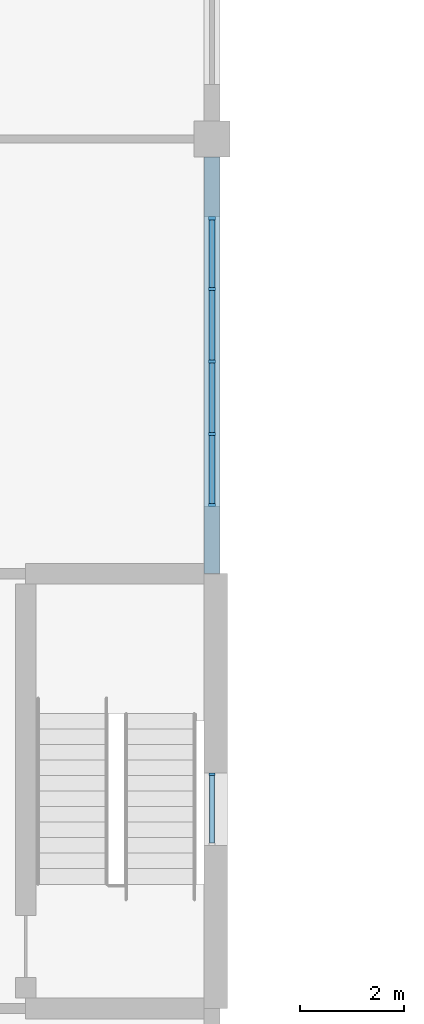
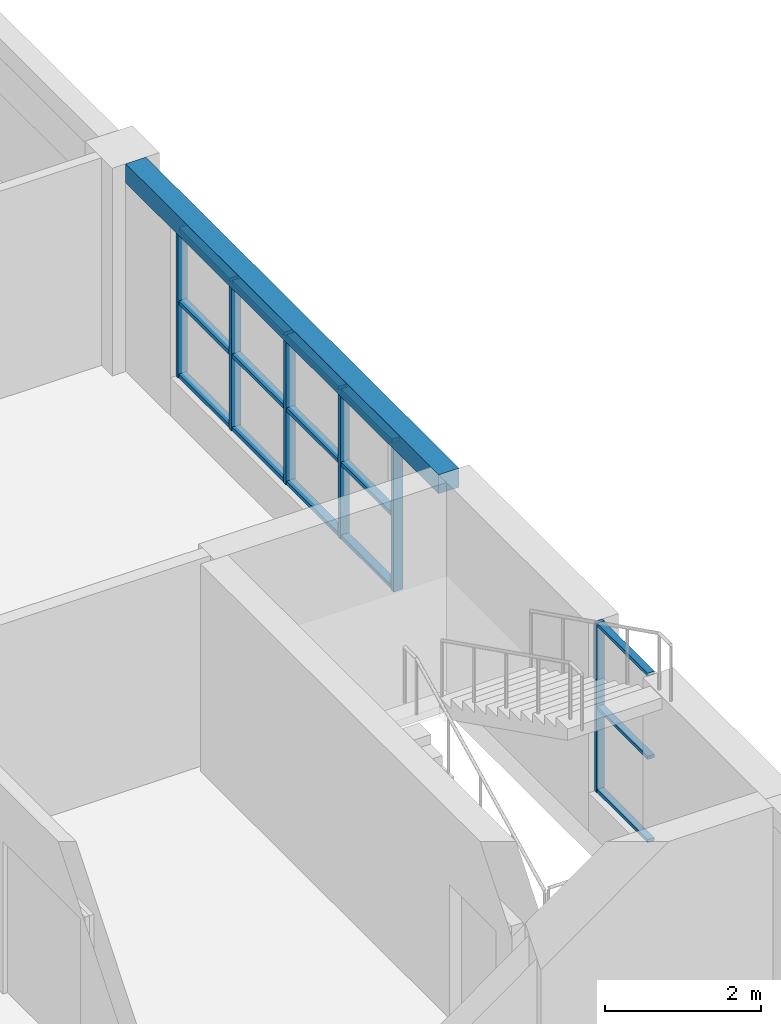
# One storey, part 12 of 45: 21 members, 1 beam, 2 elements without a shape of their own.
"""IFC4 building model written with IfcOpenShell, lengths in metres."""

from ifc_helpers import new_model, si_unit, direction, frame, origin, origin_2d, place, context, subcontext, project, spatial, rectangle, extrude, material, material_profile, profile_set, type_object, element, aggregate, save


model = new_model("IFC4")

# Units and contexts
model_context = context("Model", 3, precision=1e-05, world=origin(), true_north=direction((0.0, 1.0)))
body_context = subcontext(model_context, "Body", "Model", "MODEL_VIEW")
ifc_project = project(units=[si_unit("LENGTHUNIT", "METRE"), si_unit("AREAUNIT", "SQUARE_METRE"), si_unit("VOLUMEUNIT", "CUBIC_METRE"), si_unit("PLANEANGLEUNIT", "RADIAN"), si_unit("MASSUNIT", "GRAM", prefix="KILO")], contexts=[model_context])

# Site, building, storey
site_placement = place(None, origin())
site = spatial("IfcSite", under=ifc_project, at=site_placement, CompositionType="ELEMENT")
building_placement = place(site_placement, origin())
building = spatial("IfcBuilding", under=site, at=building_placement, Name="Yavir Park General Hospital", CompositionType="ELEMENT")
storey_placement = place(building_placement, frame((0.0, 0.0, 22.5)))
storey = spatial("IfcBuildingStorey", under=building, at=storey_placement, Name="L05", CompositionType="ELEMENT", Elevation=22.5)

# Curtain wall, members
ifc_material_1 = material(Name="Aluminium curtain wall frame with insulated glazing", Category="aluminium")
curtain_wall_type_1 = type_object("IfcCurtainWallType", Name="Day room pocket glazing, ward floors, 2360 high, 1400 module", PredefinedType="NOTDEFINED", material=ifc_material_1)
curtain_wall_1_placement = place(storey_placement, origin())
curtain_wall_1 = element("IfcCurtainWall", 1, at=curtain_wall_1_placement, inside=storey, type_object=curtain_wall_type_1, Name="CW6 L05-024", PredefinedType="NOTDEFINED")
ifc_material_2 = material(Name="Aluminium", Category="aluminium")
ifc_material_profile_1 = material_profile(ifc_material_2, rectangle(XDim=0.139892578125, YDim=0.06005859375, at=origin_2d()), Name="AL 60x140")
ifc_profile_set_1 = profile_set([ifc_material_profile_1], Name="Aluminium")
member_type_1 = type_object("IfcMemberType", Name="Day room pocket glazing, ward floors, 2360 high mullion 60 x 140", PredefinedType="MULLION", material=ifc_profile_set_1)
member_1_placement = place(storey_placement, frame((25.199951171875, 85.330078125, 0.60009765625), z_axis=(0.0, 0.0, 1.0), x_axis=(-1.0, 0.0, 0.0)))
member_1 = element("IfcMember", 2, at=member_1_placement, type_object=member_type_1, Name="CW6 mullion 1", PredefinedType="MULLION", context=body_context, shape_type="SweptSolid", body=[
    extrude(rectangle(XDim=0.139892578125, YDim=0.06005859375, at=origin_2d()), origin(), (0.0, 0.0, 1.0), 2.35986328125),
])
member_2_placement = place(storey_placement, frame((25.199951171875, 86.699951171875, 0.60009765625), z_axis=(0.0, 0.0, 1.0), x_axis=(-1.0, 0.0, 0.0)))
member_2 = element("IfcMember", 3, at=member_2_placement, type_object=member_type_1, Name="CW6 mullion 2", PredefinedType="MULLION", context=body_context, shape_type="SweptSolid", body=[
    extrude(rectangle(XDim=0.139892578125, YDim=0.06005859375, at=origin_2d()), origin(), (0.0, 0.0, 1.0), 2.35986328125),
])
member_3_placement = place(storey_placement, frame((25.199951171875, 88.10009765625, 0.60009765625), z_axis=(0.0, 0.0, 1.0), x_axis=(-1.0, 0.0, 0.0)))
member_3 = element("IfcMember", 4, at=member_3_placement, type_object=member_type_1, Name="CW6 mullion 3", PredefinedType="MULLION", context=body_context, shape_type="SweptSolid", body=[
    extrude(rectangle(XDim=0.139892578125, YDim=0.06005859375, at=origin_2d()), origin(), (0.0, 0.0, 1.0), 2.35986328125),
])
member_4_placement = place(storey_placement, frame((25.199951171875, 89.5, 0.60009765625), z_axis=(0.0, 0.0, 1.0), x_axis=(-1.0, 0.0, 0.0)))
member_4 = element("IfcMember", 5, at=member_4_placement, type_object=member_type_1, Name="CW6 mullion 4", PredefinedType="MULLION", context=body_context, shape_type="SweptSolid", body=[
    extrude(rectangle(XDim=0.139892578125, YDim=0.06005859375, at=origin_2d()), origin(), (0.0, 0.0, 1.0), 2.35986328125),
])
member_5_placement = place(storey_placement, frame((25.199951171875, 90.8701171875, 0.60009765625), z_axis=(0.0, 0.0, 1.0), x_axis=(-1.0, 0.0, 0.0)))
member_5 = element("IfcMember", 6, at=member_5_placement, type_object=member_type_1, Name="CW6 mullion 5", PredefinedType="MULLION", context=body_context, shape_type="SweptSolid", body=[
    extrude(rectangle(XDim=0.139892578125, YDim=0.06005859375, at=origin_2d()), origin(), (0.0, 0.0, 1.0), 2.35986328125),
])
ifc_material_3 = material(Name="Aluminium", Category="aluminium")
ifc_material_profile_2 = material_profile(ifc_material_3, rectangle(XDim=0.1201171875, YDim=0.06005859375, at=origin_2d()), Name="AL 120x60")
ifc_profile_set_2 = profile_set([ifc_material_profile_2], Name="Aluminium")
member_type_2 = type_object("IfcMemberType", Name="Day room pocket glazing, ward floors, 2360 high transom 60 x 120", PredefinedType="MULLION", material=ifc_profile_set_2)
member_6_placement = place(storey_placement, frame((25.199951171875, 85.360107421875, 0.6298828125), z_axis=(0.0, 1.0, 0.0), x_axis=(-1.0, 0.0, 0.0)))
member_6 = element("IfcMember", 7, at=member_6_placement, type_object=member_type_2, Name="CW6 transom 1.1", PredefinedType="MULLION", context=body_context, shape_type="SweptSolid", body=[
    extrude(rectangle(XDim=0.1201171875, YDim=0.06005859375, at=origin_2d()), origin(), (0.0, 0.0, 1.0), 1.309814453125),
])
member_7_placement = place(storey_placement, frame((25.199951171875, 85.360107421875, 1.780029296875), z_axis=(0.0, 1.0, 0.0), x_axis=(-1.0, 0.0, 0.0)))
member_7 = element("IfcMember", 8, at=member_7_placement, type_object=member_type_2, Name="CW6 transom 1.2", PredefinedType="MULLION", context=body_context, shape_type="SweptSolid", body=[
    extrude(rectangle(XDim=0.1201171875, YDim=0.06005859375, at=origin_2d()), origin(), (0.0, 0.0, 1.0), 1.309814453125),
])
member_8_placement = place(storey_placement, frame((25.199951171875, 85.360107421875, 2.929931640625), z_axis=(0.0, 1.0, 0.0), x_axis=(-1.0, 0.0, 0.0)))
member_8 = element("IfcMember", 9, at=member_8_placement, type_object=member_type_2, Name="CW6 transom 1.3", PredefinedType="MULLION", context=body_context, shape_type="SweptSolid", body=[
    extrude(rectangle(XDim=0.1201171875, YDim=0.06005859375, at=origin_2d()), origin(), (0.0, 0.0, 1.0), 1.309814453125),
])
member_9_placement = place(storey_placement, frame((25.199951171875, 86.72998046875, 0.6298828125), z_axis=(0.0, 1.0, 0.0), x_axis=(-1.0, 0.0, 0.0)))
member_9 = element("IfcMember", 10, at=member_9_placement, type_object=member_type_2, Name="CW6 transom 2.1", PredefinedType="MULLION", context=body_context, shape_type="SweptSolid", body=[
    extrude(rectangle(XDim=0.1201171875, YDim=0.06005859375, at=origin_2d()), origin(), (0.0, 0.0, 1.0), 1.340087890625),
])
member_10_placement = place(storey_placement, frame((25.199951171875, 86.72998046875, 1.780029296875), z_axis=(0.0, 1.0, 0.0), x_axis=(-1.0, 0.0, 0.0)))
member_10 = element("IfcMember", 11, at=member_10_placement, type_object=member_type_2, Name="CW6 transom 2.2", PredefinedType="MULLION", context=body_context, shape_type="SweptSolid", body=[
    extrude(rectangle(XDim=0.1201171875, YDim=0.06005859375, at=origin_2d()), origin(), (0.0, 0.0, 1.0), 1.340087890625),
])
member_11_placement = place(storey_placement, frame((25.199951171875, 86.72998046875, 2.929931640625), z_axis=(0.0, 1.0, 0.0), x_axis=(-1.0, 0.0, 0.0)))
member_11 = element("IfcMember", 12, at=member_11_placement, type_object=member_type_2, Name="CW6 transom 2.3", PredefinedType="MULLION", context=body_context, shape_type="SweptSolid", body=[
    extrude(rectangle(XDim=0.1201171875, YDim=0.06005859375, at=origin_2d()), origin(), (0.0, 0.0, 1.0), 1.340087890625),
])
member_12_placement = place(storey_placement, frame((25.199951171875, 88.1298828125, 0.6298828125), z_axis=(0.0, 1.0, 0.0), x_axis=(-1.0, 0.0, 0.0)))
member_12 = element("IfcMember", 13, at=member_12_placement, type_object=member_type_2, Name="CW6 transom 3.1", PredefinedType="MULLION", context=body_context, shape_type="SweptSolid", body=[
    extrude(rectangle(XDim=0.1201171875, YDim=0.06005859375, at=origin_2d()), origin(), (0.0, 0.0, 1.0), 1.340087890625),
])
member_13_placement = place(storey_placement, frame((25.199951171875, 88.1298828125, 1.780029296875), z_axis=(0.0, 1.0, 0.0), x_axis=(-1.0, 0.0, 0.0)))
member_13 = element("IfcMember", 14, at=member_13_placement, type_object=member_type_2, Name="CW6 transom 3.2", PredefinedType="MULLION", context=body_context, shape_type="SweptSolid", body=[
    extrude(rectangle(XDim=0.1201171875, YDim=0.06005859375, at=origin_2d()), origin(), (0.0, 0.0, 1.0), 1.340087890625),
])
member_14_placement = place(storey_placement, frame((25.199951171875, 88.1298828125, 2.929931640625), z_axis=(0.0, 1.0, 0.0), x_axis=(-1.0, 0.0, 0.0)))
member_14 = element("IfcMember", 15, at=member_14_placement, type_object=member_type_2, Name="CW6 transom 3.3", PredefinedType="MULLION", context=body_context, shape_type="SweptSolid", body=[
    extrude(rectangle(XDim=0.1201171875, YDim=0.06005859375, at=origin_2d()), origin(), (0.0, 0.0, 1.0), 1.340087890625),
])
member_15_placement = place(storey_placement, frame((25.199951171875, 89.530029296875, 0.6298828125), z_axis=(0.0, 1.0, 0.0), x_axis=(-1.0, 0.0, 0.0)))
member_15 = element("IfcMember", 16, at=member_15_placement, type_object=member_type_2, Name="CW6 transom 4.1", PredefinedType="MULLION", context=body_context, shape_type="SweptSolid", body=[
    extrude(rectangle(XDim=0.1201171875, YDim=0.06005859375, at=origin_2d()), origin(), (0.0, 0.0, 1.0), 1.31005859375),
])
member_16_placement = place(storey_placement, frame((25.199951171875, 89.530029296875, 1.780029296875), z_axis=(0.0, 1.0, 0.0), x_axis=(-1.0, 0.0, 0.0)))
member_16 = element("IfcMember", 17, at=member_16_placement, type_object=member_type_2, Name="CW6 transom 4.2", PredefinedType="MULLION", context=body_context, shape_type="SweptSolid", body=[
    extrude(rectangle(XDim=0.1201171875, YDim=0.06005859375, at=origin_2d()), origin(), (0.0, 0.0, 1.0), 1.31005859375),
])
member_17_placement = place(storey_placement, frame((25.199951171875, 89.530029296875, 2.929931640625), z_axis=(0.0, 1.0, 0.0), x_axis=(-1.0, 0.0, 0.0)))
member_17 = element("IfcMember", 18, at=member_17_placement, type_object=member_type_2, Name="CW6 transom 4.3", PredefinedType="MULLION", context=body_context, shape_type="SweptSolid", body=[
    extrude(rectangle(XDim=0.1201171875, YDim=0.06005859375, at=origin_2d()), origin(), (0.0, 0.0, 1.0), 1.31005859375),
])
aggregate(curtain_wall_1, [member_1, member_2, member_3, member_4, member_5, member_6, member_7, member_8, member_9, member_10, member_11, member_12, member_13, member_14, member_15, member_16, member_17])

# Beam
ifc_material_4 = material(Name="Concrete C35/45", Category="concrete")
ifc_material_profile_3 = material_profile(ifc_material_4, rectangle(XDim=0.300048828125, YDim=0.300048828125, at=origin_2d()), Name="RC300x300")
ifc_profile_set_3 = profile_set([ifc_material_profile_3], Name="Concrete C35/45")
beam_type = type_object("IfcBeamType", Name="RC BEAM 300x300 edge beam", PredefinedType="BEAM", material=ifc_profile_set_3)
beam_placement = place(storey_placement, frame((25.199951171875, 84.0, 3.110107421875), z_axis=(0.0, 1.0, 0.0), x_axis=(-1.0, 0.0, 0.0)))
element("IfcBeam", 19, at=beam_placement, inside=storey, type_object=beam_type, Name="B:EDGE:L05:032", PredefinedType="BEAM", context=body_context, shape_type="SweptSolid", body=[
    extrude(rectangle(XDim=0.300048828125, YDim=0.300048828125, at=origin_2d()), origin(), (0.0, 0.0, 1.0), 8.050048828125),
])

# Curtain wall, members
ifc_material_5 = material(Name="Aluminium curtain wall frame with insulated glazing", Category="aluminium")
curtain_wall_type_2 = type_object("IfcCurtainWallType", Name="Stair light slot, ward floors, 2660 high, 1400 module", PredefinedType="NOTDEFINED", material=ifc_material_5)
curtain_wall_2_placement = place(storey_placement, origin())
curtain_wall_2 = element("IfcCurtainWall", 20, at=curtain_wall_2_placement, inside=storey, type_object=curtain_wall_type_2, Name="CW10 L05-023", PredefinedType="NOTDEFINED")
ifc_material_6 = material(Name="Aluminium", Category="aluminium")
ifc_material_profile_4 = material_profile(ifc_material_6, rectangle(XDim=0.1201171875, YDim=0.050048828125, at=origin_2d()), Name="AL 50x120")
ifc_profile_set_4 = profile_set([ifc_material_profile_4], Name="Aluminium")
member_type_3 = type_object("IfcMemberType", Name="Stair light slot, ward floors, 2660 high mullion 50 x 120", PredefinedType="MULLION", material=ifc_profile_set_4)
member_18_placement = place(storey_placement, frame((25.199951171875, 80.125, 0.60009765625), z_axis=(0.0, 0.0, 1.0), x_axis=(-1.0, 0.0, 0.0)))
member_18 = element("IfcMember", 21, at=member_18_placement, type_object=member_type_3, Name="CW10 mullion 2", PredefinedType="MULLION", context=body_context, shape_type="SweptSolid", body=[
    extrude(rectangle(XDim=0.1201171875, YDim=0.050048828125, at=origin_2d()), origin(), (0.0, 0.0, 1.0), 2.659912109375),
])
ifc_material_7 = material(Name="Aluminium", Category="aluminium")
ifc_material_profile_5 = material_profile(ifc_material_7, rectangle(XDim=0.10009765625, YDim=0.050048828125, at=origin_2d()), Name="AL 100x50")
ifc_profile_set_5 = profile_set([ifc_material_profile_5], Name="Aluminium")
member_type_4 = type_object("IfcMemberType", Name="Stair light slot, ward floors, 2660 high transom 50 x 100", PredefinedType="MULLION", material=ifc_profile_set_5)
member_19_placement = place(storey_placement, frame((25.199951171875, 78.800048828125, 0.625), z_axis=(0.0, 1.0, 0.0), x_axis=(-1.0, 0.0, 0.0)))
member_19 = element("IfcMember", 22, at=member_19_placement, type_object=member_type_4, Name="CW10 transom 1.1", PredefinedType="MULLION", context=body_context, shape_type="SweptSolid", body=[
    extrude(rectangle(XDim=0.10009765625, YDim=0.050048828125, at=origin_2d()), origin(), (0.0, 0.0, 1.0), 1.300048828125),
])
member_20_placement = place(storey_placement, frame((25.199951171875, 78.800048828125, 1.929931640625), z_axis=(0.0, 1.0, 0.0), x_axis=(-1.0, 0.0, 0.0)))
member_20 = element("IfcMember", 23, at=member_20_placement, type_object=member_type_4, Name="CW10 transom 1.2", PredefinedType="MULLION", context=body_context, shape_type="SweptSolid", body=[
    extrude(rectangle(XDim=0.10009765625, YDim=0.050048828125, at=origin_2d()), origin(), (0.0, 0.0, 1.0), 1.300048828125),
])
member_21_placement = place(storey_placement, frame((25.199951171875, 78.800048828125, 3.235107421875), z_axis=(0.0, 1.0, 0.0), x_axis=(-1.0, 0.0, 0.0)))
member_21 = element("IfcMember", 24, at=member_21_placement, type_object=member_type_4, Name="CW10 transom 1.3", PredefinedType="MULLION", context=body_context, shape_type="SweptSolid", body=[
    extrude(rectangle(XDim=0.10009765625, YDim=0.050048828125, at=origin_2d()), origin(), (0.0, 0.0, 1.0), 1.300048828125),
])
aggregate(curtain_wall_2, [member_18, member_19, member_20, member_21])

save(model, "model.ifc")
